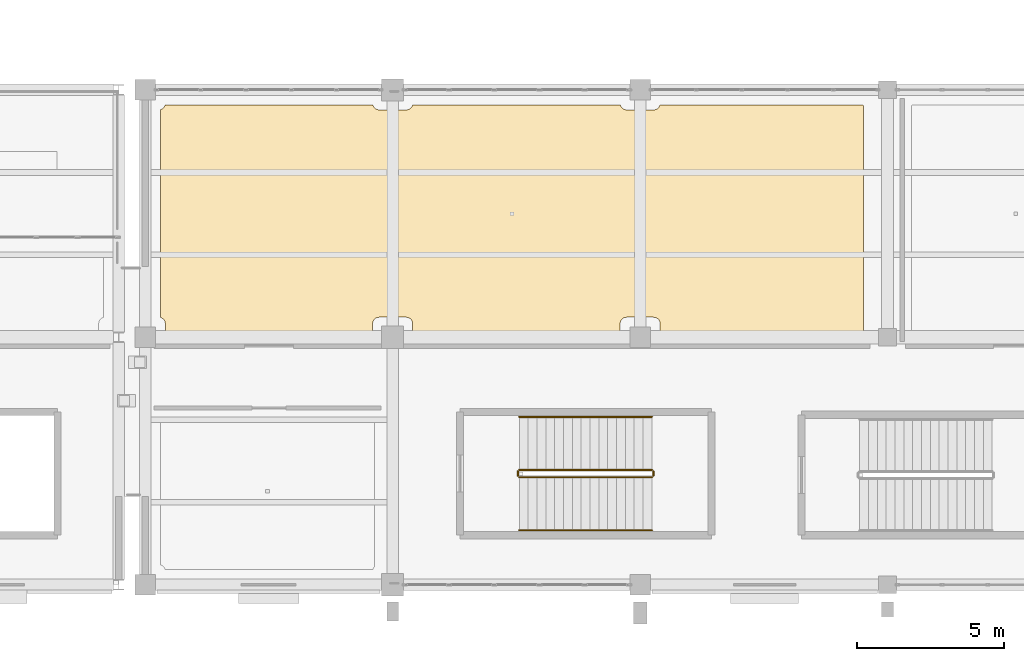
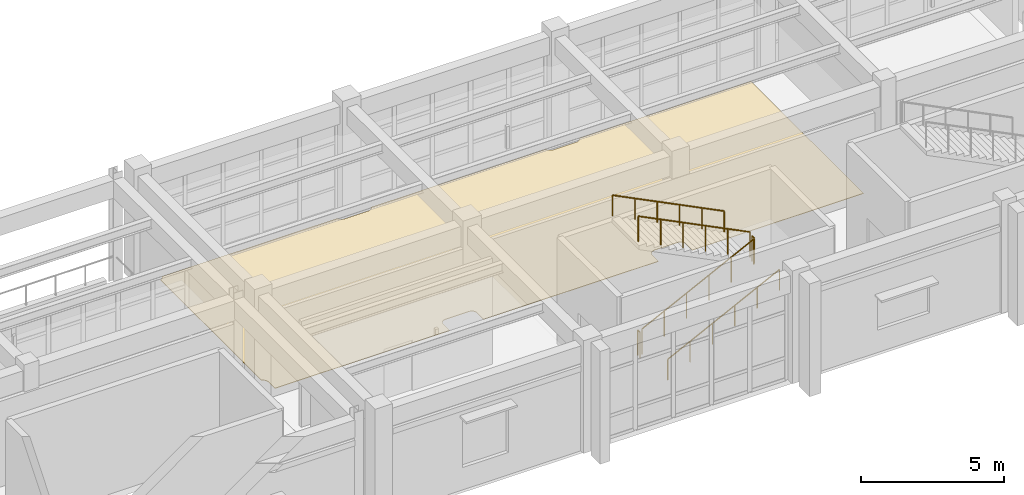
# One storey, part 87 of 98: 6 railings, 1 covering.
"""IFC4 building model written with IfcOpenShell, lengths in metres."""

from ifc_helpers import new_model, si_unit, direction, frame, origin, origin_2d, place, context, subcontext, project, spatial, polyline, circle, outline, extrude, material, layer, layer_set, type_object, element, save


model = new_model("IFC4")

# Units and contexts
model_context = context("Model", 3, precision=1e-05, world=origin(), true_north=direction((0.0, 1.0)))
body_context = subcontext(model_context, "Body", "Model", "MODEL_VIEW")
ifc_project = project(units=[si_unit("LENGTHUNIT", "METRE"), si_unit("AREAUNIT", "SQUARE_METRE"), si_unit("VOLUMEUNIT", "CUBIC_METRE"), si_unit("PLANEANGLEUNIT", "RADIAN"), si_unit("MASSUNIT", "GRAM", prefix="KILO")], contexts=[model_context])

# Site, building, storey
site_placement = place(None, origin())
site = spatial("IfcSite", under=ifc_project, at=site_placement, CompositionType="ELEMENT")
building_placement = place(site_placement, origin())
building = spatial("IfcBuilding", under=site, at=building_placement, Name="Canglan Escarpment Cableway Terminal", CompositionType="ELEMENT")
storey_placement = place(building_placement, frame((0.0, 0.0, 9.60009765625)))
storey = spatial("IfcBuildingStorey", under=building, at=storey_placement, Name="L02", CompositionType="ELEMENT", Elevation=9.60009765625)

# Covering
ifc_material_1 = material(Name="Polished mineral terrazzo flooring", Category="concrete")
ifc_layer = layer(ifc_material_1, 0.02001953125, Name="Polished mineral terrazzo flooring")
ifc_layer_set = layer_set([ifc_layer], Name="Polished mineral terrazzo flooring")
covering_type = type_object("IfcCoveringType", Name="COV-FLR-TERRAZZO-20", PredefinedType="FLOORING", material=ifc_layer_set)
covering_placement = place(storey_placement, origin())
element("IfcCovering", 1, at=covering_placement, inside=storey, type_object=covering_type, Name="Mountain Ecology Lecture Hall stone floor finish", PredefinedType="FLOORING", context=body_context, shape_type="SweptSolid", body=[
    extrude(outline(polyline([(77.533203125, 17.067138671875), (77.531494140625, 17.06787109375), (77.52978515625, 17.06884765625), (77.5283203125, 17.06982421875), (77.52685546875, 17.071044921875), (77.525390625, 17.072265625), (77.524169921875, 17.07373046875), (77.523193359375, 17.0751953125), (77.522216796875, 17.076904296875), (77.521484375, 17.07861328125), (77.520751953125, 17.080322265625), (77.5205078125, 17.082275390625), (77.52001953125, 17.083984375), (77.52001953125, 17.0859375), (77.52001953125, 24.114013671875), (77.52001953125, 24.115966796875), (77.5205078125, 24.117919921875), (77.520751953125, 24.11962890625), (77.521484375, 24.121337890625), (77.522216796875, 24.123046875), (77.523193359375, 24.124755859375), (77.524169921875, 24.126220703125), (77.525390625, 24.127685546875), (77.52685546875, 24.12890625), (77.5283203125, 24.130126953125), (77.52978515625, 24.131103515625), (77.531494140625, 24.132080078125), (77.533203125, 24.1328125), (77.543701171875, 24.13671875), (77.544677734375, 24.136962890625), (77.563232421875, 24.145751953125), (77.564208984375, 24.146240234375), (77.581787109375, 24.15673828125), (77.58251953125, 24.157470703125), (77.59912109375, 24.169677734375), (77.599853515625, 24.17041015625), (77.615234375, 24.18408203125), (77.615966796875, 24.184814453125), (77.629638671875, 24.2001953125), (77.63037109375, 24.20068359375), (77.642578125, 24.21728515625), (77.643310546875, 24.21826171875), (77.65380859375, 24.23583984375), (77.654296875, 24.23681640625), (77.6630859375, 24.25537109375), (77.663330078125, 24.25634765625), (77.667236328125, 24.2666015625), (77.66796875, 24.2685546875), (77.668701171875, 24.270263671875), (77.669921875, 24.271728515625), (77.6708984375, 24.273193359375), (77.67236328125, 24.274658203125), (77.673583984375, 24.27587890625), (77.67529296875, 24.27685546875), (77.677001953125, 24.27783203125), (77.6787109375, 24.278564453125), (77.680419921875, 24.279296875), (77.68212890625, 24.279541015625), (77.68408203125, 24.27978515625), (77.68603515625, 24.280029296875), (84.714111328125, 24.280029296875), (84.7158203125, 24.27978515625), (84.7177734375, 24.279541015625), (84.719482421875, 24.279296875), (84.721435546875, 24.278564453125), (84.72314453125, 24.27783203125), (84.724609375, 24.27685546875), (84.726318359375, 24.27587890625), (84.727783203125, 24.274658203125), (84.72900390625, 24.273193359375), (84.730224609375, 24.271728515625), (84.731201171875, 24.270263671875), (84.732177734375, 24.2685546875), (84.73291015625, 24.2666015625), (84.736572265625, 24.25634765625), (84.737060546875, 24.25537109375), (84.745849609375, 24.23681640625), (84.74609375, 24.23583984375), (84.7568359375, 24.21826171875), (84.75732421875, 24.21728515625), (84.76953125, 24.20068359375), (84.770263671875, 24.2001953125), (84.7841796875, 24.184814453125), (84.784912109375, 24.18408203125), (84.800048828125, 24.17041015625), (84.80078125, 24.169677734375), (84.8173828125, 24.157470703125), (84.818115234375, 24.15673828125), (84.8359375, 24.146240234375), (84.836669921875, 24.145751953125), (84.85546875, 24.136962890625), (84.856201171875, 24.13671875), (84.875732421875, 24.129638671875), (84.876708984375, 24.12939453125), (84.896484375, 24.124267578125), (84.897705078125, 24.124267578125), (84.91796875, 24.12109375), (84.9189453125, 24.12109375), (84.939697265625, 24.1201171875), (84.940185546875, 24.1201171875), (85.85986328125, 24.1201171875), (85.860107421875, 24.1201171875), (85.881103515625, 24.12109375), (85.882080078125, 24.12109375), (85.90234375, 24.124267578125), (85.9033203125, 24.124267578125), (85.92333984375, 24.12939453125), (85.92431640625, 24.129638671875), (85.943603515625, 24.13671875), (85.944580078125, 24.136962890625), (85.96337890625, 24.145751953125), (85.964111328125, 24.146240234375), (85.981689453125, 24.15673828125), (85.982666015625, 24.157470703125), (85.999267578125, 24.169677734375), (86.0, 24.17041015625), (86.01513671875, 24.18408203125), (86.015869140625, 24.184814453125), (86.02978515625, 24.2001953125), (86.030517578125, 24.20068359375), (86.04248046875, 24.21728515625), (86.043212890625, 24.21826171875), (86.0537109375, 24.23583984375), (86.05419921875, 24.23681640625), (86.06298828125, 24.25537109375), (86.0634765625, 24.25634765625), (86.067138671875, 24.2666015625), (86.06787109375, 24.2685546875), (86.06884765625, 24.270263671875), (86.06982421875, 24.271728515625), (86.071044921875, 24.273193359375), (86.072265625, 24.274658203125), (86.07373046875, 24.27587890625), (86.0751953125, 24.27685546875), (86.076904296875, 24.27783203125), (86.07861328125, 24.278564453125), (86.080322265625, 24.279296875), (86.082275390625, 24.279541015625), (86.083984375, 24.27978515625), (86.0859375, 24.280029296875), (93.114013671875, 24.280029296875), (93.115966796875, 24.27978515625), (93.117919921875, 24.279541015625), (93.11962890625, 24.279296875), (93.121337890625, 24.278564453125), (93.123046875, 24.27783203125), (93.124755859375, 24.27685546875), (93.126220703125, 24.27587890625), (93.127685546875, 24.274658203125), (93.12890625, 24.273193359375), (93.130126953125, 24.271728515625), (93.131103515625, 24.270263671875), (93.132080078125, 24.2685546875), (93.1328125, 24.2666015625), (93.13671875, 24.25634765625), (93.136962890625, 24.25537109375), (93.145751953125, 24.23681640625), (93.146240234375, 24.23583984375), (93.15673828125, 24.21826171875), (93.157470703125, 24.21728515625), (93.169677734375, 24.20068359375), (93.17041015625, 24.2001953125), (93.18408203125, 24.184814453125), (93.184814453125, 24.18408203125), (93.2001953125, 24.17041015625), (93.20068359375, 24.169677734375), (93.21728515625, 24.157470703125), (93.21826171875, 24.15673828125), (93.23583984375, 24.146240234375), (93.23681640625, 24.145751953125), (93.25537109375, 24.136962890625), (93.25634765625, 24.13671875), (93.275634765625, 24.129638671875), (93.276611328125, 24.12939453125), (93.296630859375, 24.124267578125), (93.297607421875, 24.124267578125), (93.318115234375, 24.12109375), (93.31884765625, 24.12109375), (93.33984375, 24.1201171875), (93.340087890625, 24.1201171875), (94.259765625, 24.1201171875), (94.26025390625, 24.1201171875), (94.281005859375, 24.12109375), (94.281982421875, 24.12109375), (94.302490234375, 24.124267578125), (94.303466796875, 24.124267578125), (94.323486328125, 24.12939453125), (94.32421875, 24.129638671875), (94.34375, 24.13671875), (94.344482421875, 24.136962890625), (94.36328125, 24.145751953125), (94.364013671875, 24.146240234375), (94.3818359375, 24.15673828125), (94.382568359375, 24.157470703125), (94.399169921875, 24.169677734375), (94.39990234375, 24.17041015625), (94.415283203125, 24.18408203125), (94.416015625, 24.184814453125), (94.4296875, 24.2001953125), (94.430419921875, 24.20068359375), (94.442626953125, 24.21728515625), (94.443115234375, 24.21826171875), (94.453857421875, 24.23583984375), (94.4541015625, 24.23681640625), (94.462890625, 24.25537109375), (94.46337890625, 24.25634765625), (94.46728515625, 24.2666015625), (94.468017578125, 24.2685546875), (94.46875, 24.270263671875), (94.4697265625, 24.271728515625), (94.470947265625, 24.273193359375), (94.472412109375, 24.274658203125), (94.4736328125, 24.27587890625), (94.475341796875, 24.27685546875), (94.476806640625, 24.27783203125), (94.478515625, 24.278564453125), (94.48046875, 24.279296875), (94.482177734375, 24.279541015625), (94.484130859375, 24.27978515625), (94.486083984375, 24.280029296875), (101.360107421875, 24.280029296875), (101.362060546875, 24.27978515625), (101.364013671875, 24.279541015625), (101.36572265625, 24.279052734375), (101.36767578125, 24.278564453125), (101.369384765625, 24.277587890625), (101.37109375, 24.276611328125), (101.372802734375, 24.275390625), (101.3740234375, 24.274169921875), (101.37548828125, 24.272705078125), (101.376708984375, 24.27099609375), (101.377685546875, 24.269287109375), (101.37841796875, 24.267578125), (101.379150390625, 24.265869140625), (101.379638671875, 24.263916015625), (101.3798828125, 24.261962890625), (101.3798828125, 24.260009765625), (101.3798828125, 16.43994140625), (101.3798828125, 16.43798828125), (101.379638671875, 16.43603515625), (101.379150390625, 16.43408203125), (101.37841796875, 16.432373046875), (101.377685546875, 16.4306640625), (101.376708984375, 16.428955078125), (101.37548828125, 16.42724609375), (101.3740234375, 16.42578125), (101.372802734375, 16.424560546875), (101.37109375, 16.42333984375), (101.369384765625, 16.42236328125), (101.36767578125, 16.42138671875), (101.36572265625, 16.4208984375), (101.364013671875, 16.42041015625), (101.362060546875, 16.420166015625), (101.360107421875, 16.419921875), (94.5, 16.419921875), (94.498046875, 16.420166015625), (94.49609375, 16.42041015625), (94.494140625, 16.4208984375), (94.4921875, 16.42138671875), (94.490478515625, 16.42236328125), (94.489013671875, 16.42333984375), (94.4873046875, 16.424560546875), (94.48583984375, 16.42578125), (94.484619140625, 16.42724609375), (94.4833984375, 16.428955078125), (94.482421875, 16.4306640625), (94.4814453125, 16.432373046875), (94.48095703125, 16.43408203125), (94.48046875, 16.43603515625), (94.47998046875, 16.43798828125), (94.47998046875, 16.43994140625), (94.47998046875, 16.85986328125), (94.47998046875, 16.860107421875), (94.47900390625, 16.881103515625), (94.47900390625, 16.882080078125), (94.475830078125, 16.90234375), (94.4755859375, 16.9033203125), (94.470703125, 16.92333984375), (94.470458984375, 16.92431640625), (94.46337890625, 16.943603515625), (94.462890625, 16.944580078125), (94.4541015625, 16.96337890625), (94.453857421875, 16.964111328125), (94.443115234375, 16.981689453125), (94.442626953125, 16.982666015625), (94.430419921875, 16.999267578125), (94.4296875, 17.0), (94.416015625, 17.01513671875), (94.415283203125, 17.015869140625), (94.39990234375, 17.02978515625), (94.399169921875, 17.030517578125), (94.382568359375, 17.04248046875), (94.3818359375, 17.043212890625), (94.364013671875, 17.0537109375), (94.36328125, 17.05419921875), (94.344482421875, 17.06298828125), (94.34375, 17.0634765625), (94.32421875, 17.0703125), (94.323486328125, 17.070556640625), (94.303466796875, 17.07568359375), (94.302490234375, 17.07568359375), (94.281982421875, 17.078857421875), (94.281005859375, 17.0791015625), (94.26025390625, 17.080078125), (94.259765625, 17.080078125), (93.340087890625, 17.080078125), (93.33984375, 17.080078125), (93.31884765625, 17.0791015625), (93.318115234375, 17.078857421875), (93.297607421875, 17.07568359375), (93.296630859375, 17.07568359375), (93.276611328125, 17.070556640625), (93.275634765625, 17.0703125), (93.25634765625, 17.0634765625), (93.25537109375, 17.06298828125), (93.23681640625, 17.05419921875), (93.23583984375, 17.0537109375), (93.21826171875, 17.043212890625), (93.21728515625, 17.04248046875), (93.20068359375, 17.030517578125), (93.2001953125, 17.02978515625), (93.184814453125, 17.015869140625), (93.18408203125, 17.01513671875), (93.17041015625, 17.0), (93.169677734375, 16.999267578125), (93.157470703125, 16.982666015625), (93.15673828125, 16.981689453125), (93.146240234375, 16.964111328125), (93.145751953125, 16.96337890625), (93.136962890625, 16.944580078125), (93.13671875, 16.943603515625), (93.129638671875, 16.92431640625), (93.12939453125, 16.92333984375), (93.124267578125, 16.9033203125), (93.124267578125, 16.90234375), (93.12109375, 16.882080078125), (93.12109375, 16.881103515625), (93.1201171875, 16.860107421875), (93.1201171875, 16.85986328125), (93.1201171875, 16.43994140625), (93.119873046875, 16.43798828125), (93.11962890625, 16.43603515625), (93.119140625, 16.43408203125), (93.118408203125, 16.432373046875), (93.11767578125, 16.4306640625), (93.11669921875, 16.428955078125), (93.115478515625, 16.42724609375), (93.114013671875, 16.42578125), (93.11279296875, 16.424560546875), (93.111083984375, 16.42333984375), (93.109375, 16.42236328125), (93.107666015625, 16.42138671875), (93.105712890625, 16.4208984375), (93.10400390625, 16.42041015625), (93.10205078125, 16.420166015625), (93.10009765625, 16.419921875), (86.10009765625, 16.419921875), (86.097900390625, 16.420166015625), (86.09619140625, 16.42041015625), (86.09423828125, 16.4208984375), (86.09228515625, 16.42138671875), (86.090576171875, 16.42236328125), (86.0888671875, 16.42333984375), (86.08740234375, 16.424560546875), (86.0859375, 16.42578125), (86.08447265625, 16.42724609375), (86.08349609375, 16.428955078125), (86.08251953125, 16.4306640625), (86.08154296875, 16.432373046875), (86.080810546875, 16.43408203125), (86.080322265625, 16.43603515625), (86.080078125, 16.43798828125), (86.080078125, 16.43994140625), (86.080078125, 16.85986328125), (86.080078125, 16.860107421875), (86.0791015625, 16.881103515625), (86.078857421875, 16.882080078125), (86.07568359375, 16.90234375), (86.07568359375, 16.9033203125), (86.070556640625, 16.92333984375), (86.0703125, 16.92431640625), (86.0634765625, 16.943603515625), (86.06298828125, 16.944580078125), (86.05419921875, 16.96337890625), (86.0537109375, 16.964111328125), (86.043212890625, 16.981689453125), (86.04248046875, 16.982666015625), (86.030517578125, 16.999267578125), (86.02978515625, 17.0), (86.015869140625, 17.01513671875), (86.01513671875, 17.015869140625), (86.0, 17.02978515625), (85.999267578125, 17.030517578125), (85.982666015625, 17.04248046875), (85.981689453125, 17.043212890625), (85.964111328125, 17.0537109375), (85.96337890625, 17.05419921875), (85.944580078125, 17.06298828125), (85.943603515625, 17.0634765625), (85.92431640625, 17.0703125), (85.92333984375, 17.070556640625), (85.9033203125, 17.07568359375), (85.90234375, 17.07568359375), (85.882080078125, 17.078857421875), (85.881103515625, 17.0791015625), (85.860107421875, 17.080078125), (85.85986328125, 17.080078125), (84.940185546875, 17.080078125), (84.939697265625, 17.080078125), (84.9189453125, 17.0791015625), (84.91796875, 17.078857421875), (84.897705078125, 17.07568359375), (84.896484375, 17.07568359375), (84.876708984375, 17.070556640625), (84.875732421875, 17.0703125), (84.856201171875, 17.0634765625), (84.85546875, 17.06298828125), (84.836669921875, 17.05419921875), (84.8359375, 17.0537109375), (84.818115234375, 17.043212890625), (84.8173828125, 17.04248046875), (84.80078125, 17.030517578125), (84.800048828125, 17.02978515625), (84.784912109375, 17.015869140625), (84.7841796875, 17.01513671875), (84.770263671875, 17.0), (84.76953125, 16.999267578125), (84.75732421875, 16.982666015625), (84.7568359375, 16.981689453125), (84.74609375, 16.964111328125), (84.745849609375, 16.96337890625), (84.737060546875, 16.944580078125), (84.736572265625, 16.943603515625), (84.7294921875, 16.92431640625), (84.7294921875, 16.92333984375), (84.724365234375, 16.9033203125), (84.72412109375, 16.90234375), (84.72119140625, 16.882080078125), (84.720947265625, 16.881103515625), (84.719970703125, 16.860107421875), (84.719970703125, 16.85986328125), (84.719970703125, 16.43994140625), (84.719970703125, 16.43798828125), (84.719482421875, 16.43603515625), (84.718994140625, 16.43408203125), (84.718505859375, 16.432373046875), (84.717529296875, 16.4306640625), (84.716552734375, 16.428955078125), (84.715576171875, 16.42724609375), (84.714111328125, 16.42578125), (84.712646484375, 16.424560546875), (84.711181640625, 16.42333984375), (84.70947265625, 16.42236328125), (84.707763671875, 16.42138671875), (84.705810546875, 16.4208984375), (84.703857421875, 16.42041015625), (84.701904296875, 16.420166015625), (84.699951171875, 16.419921875), (77.699951171875, 16.419921875), (77.697998046875, 16.420166015625), (77.696044921875, 16.42041015625), (77.694091796875, 16.4208984375), (77.6923828125, 16.42138671875), (77.690673828125, 16.42236328125), (77.68896484375, 16.42333984375), (77.687255859375, 16.424560546875), (77.685791015625, 16.42578125), (77.6845703125, 16.42724609375), (77.683349609375, 16.428955078125), (77.682373046875, 16.4306640625), (77.681396484375, 16.432373046875), (77.680908203125, 16.43408203125), (77.680419921875, 16.43603515625), (77.68017578125, 16.43798828125), (77.679931640625, 16.43994140625), (77.679931640625, 16.85986328125), (77.679931640625, 16.860107421875), (77.678955078125, 16.881103515625), (77.678955078125, 16.882080078125), (77.67578125, 16.90234375), (77.67578125, 16.9033203125), (77.670654296875, 16.92333984375), (77.67041015625, 16.92431640625), (77.663330078125, 16.943603515625), (77.6630859375, 16.944580078125), (77.654296875, 16.96337890625), (77.65380859375, 16.964111328125), (77.643310546875, 16.981689453125), (77.642578125, 16.982666015625), (77.63037109375, 16.999267578125), (77.629638671875, 17.0), (77.615966796875, 17.01513671875), (77.615234375, 17.015869140625), (77.599853515625, 17.02978515625), (77.59912109375, 17.030517578125), (77.58251953125, 17.04248046875), (77.581787109375, 17.043212890625), (77.564208984375, 17.0537109375), (77.563232421875, 17.05419921875), (77.544677734375, 17.06298828125), (77.543701171875, 17.0634765625), (77.533203125, 17.067138671875)])), origin(), (0.0, 0.0, 1.0), 0.02001953125),
])

# Railings
ifc_material_2 = material(Name="Powder-coated steel stair balustrade", Category="steel")
railing_type_1 = type_object("IfcRailingType", Name="RL-STR-GUARD-1100", PredefinedType="BALUSTRADE", material=ifc_material_2)
railing_1_placement = place(storey_placement, frame((89.699951171875, 11.64990234375, 0.14990234375)))
element("IfcRailing", 2, at=railing_1_placement, inside=storey, type_object=railing_type_1, Name="L02 ST-06 stair guard 1", PredefinedType="BALUSTRADE", context=body_context, shape_type="SweptSolid", body=[
    extrude(circle(Radius=0.02392578125, at=origin_2d()), frame((0.0, 0.0, 1.076171875), z_axis=(0.894427191, 0.0, 0.4472135955), x_axis=(0.0, 1.0, 0.0)), (0.0, 0.0, 1.0), 5.03125),
    extrude(circle(Radius=0.02099609375, at=origin_2d()), origin(), (0.0, 0.0, 1.0), 1.052001953125),
    extrude(circle(Radius=0.02099609375, at=origin_2d()), frame((0.89990234375, 0.0, 0.449951171875)), (0.0, 0.0, 1.0), 1.052001953125),
    extrude(circle(Radius=0.02099609375, at=origin_2d()), frame((1.800048828125, 0.0, 0.89990234375)), (0.0, 0.0, 1.0), 1.052001953125),
    extrude(circle(Radius=0.02099609375, at=origin_2d()), frame((2.699951171875, 0.0, 1.35009765625)), (0.0, 0.0, 1.0), 1.052001953125),
    extrude(circle(Radius=0.02099609375, at=origin_2d()), frame((3.60009765625, 0.0, 1.800048828125)), (0.0, 0.0, 1.0), 1.052001953125),
    extrude(circle(Radius=0.02099609375, at=origin_2d()), frame((4.5, 0.0, 2.25)), (0.0, 0.0, 1.0), 1.052001953125),
])
railing_2_placement = place(storey_placement, frame((94.25, 11.699951171875, 2.39990234375)))
element("IfcRailing", 3, at=railing_2_placement, inside=storey, type_object=railing_type_1, Name="L02 ST-06 stair guard 2", PredefinedType="BALUSTRADE", context=body_context, shape_type="SweptSolid", body=[
    extrude(circle(Radius=0.02392578125, at=origin_2d()), frame((0.0, 0.0, 1.076171875), z_axis=(0.0, 1.0, 0.0), x_axis=(-1.0, 0.0, 0.0)), (0.0, 0.0, 1.0), 0.150146484375),
    extrude(circle(Radius=0.02099609375, at=origin_2d()), origin(), (0.0, 0.0, 1.0), 1.052001953125),
    extrude(circle(Radius=0.02099609375, at=origin_2d()), frame((0.0, 0.150146484375, 0.0)), (0.0, 0.0, 1.0), 1.052001953125),
])
railing_3_placement = place(storey_placement, frame((94.199951171875, 11.89990234375, 2.5498046875)))
element("IfcRailing", 4, at=railing_3_placement, inside=storey, type_object=railing_type_1, Name="L02 ST-06 stair guard 3", PredefinedType="BALUSTRADE", context=body_context, shape_type="SweptSolid", body=[
    extrude(circle(Radius=0.02392578125, at=origin_2d()), frame((0.0, 0.0, 1.076171875), z_axis=(-0.894427191, 0.0, 0.4472135955), x_axis=(0.0, -1.0, 0.0)), (0.0, 0.0, 1.0), 5.03125),
    extrude(circle(Radius=0.02099609375, at=origin_2d()), origin(), (0.0, 0.0, 1.0), 1.052001953125),
    extrude(circle(Radius=0.02099609375, at=origin_2d()), frame((-0.89990234375, 0.0, 0.449951171875)), (0.0, 0.0, 1.0), 1.052001953125),
    extrude(circle(Radius=0.02099609375, at=origin_2d()), frame((-1.800048828125, 0.0, 0.89990234375)), (0.0, 0.0, 1.0), 1.052001953125),
    extrude(circle(Radius=0.02099609375, at=origin_2d()), frame((-2.699951171875, 0.0, 1.35009765625)), (0.0, 0.0, 1.0), 1.052001953125),
    extrude(circle(Radius=0.02099609375, at=origin_2d()), frame((-3.60009765625, 0.0, 1.800048828125)), (0.0, 0.0, 1.0), 1.052001953125),
    extrude(circle(Radius=0.02099609375, at=origin_2d()), frame((-4.5, 0.0, 2.25)), (0.0, 0.0, 1.0), 1.052001953125),
])
railing_4_placement = place(storey_placement, frame((89.64990234375, 11.699951171875, 0.0)))
element("IfcRailing", 5, at=railing_4_placement, inside=storey, type_object=railing_type_1, Name="L02 ST-06 stair guard 4", PredefinedType="BALUSTRADE", context=body_context, shape_type="SweptSolid", body=[
    extrude(circle(Radius=0.02392578125, at=origin_2d()), frame((0.0, 0.0, 1.076171875), z_axis=(0.0, 1.0, 0.0), x_axis=(-1.0, 0.0, 0.0)), (0.0, 0.0, 1.0), 0.150146484375),
    extrude(circle(Radius=0.02099609375, at=origin_2d()), origin(), (0.0, 0.0, 1.0), 1.052001953125),
    extrude(circle(Radius=0.02099609375, at=origin_2d()), frame((0.0, 0.150146484375, 0.0)), (0.0, 0.0, 1.0), 1.052001953125),
])
ifc_material_3 = material(Name="Brushed stainless steel 304 handrail", Category="steel")
railing_type_2 = type_object("IfcRailingType", Name="RL-STR-HR-900", PredefinedType="HANDRAIL", material=ifc_material_3)
railing_5_placement = place(storey_placement, frame((89.699951171875, 9.85009765625, 0.14990234375)))
element("IfcRailing", 6, at=railing_5_placement, inside=storey, type_object=railing_type_2, Name="L02 ST-06 stair handrail 1", PredefinedType="HANDRAIL", context=body_context, shape_type="SweptSolid", body=[
    extrude(circle(Radius=0.02392578125, at=origin_2d()), frame((0.0, 0.0, 0.8759765625), z_axis=(0.894427191, 0.0, 0.4472135955), x_axis=(0.0, 1.0, 0.0)), (0.0, 0.0, 1.0), 5.03125),
    extrude(circle(Radius=0.02099609375, at=origin_2d()), origin(), (0.0, 0.0, 1.0), 0.851806640625),
    extrude(circle(Radius=0.02099609375, at=origin_2d()), frame((0.89990234375, 0.0, 0.449951171875)), (0.0, 0.0, 1.0), 0.851806640625),
    extrude(circle(Radius=0.02099609375, at=origin_2d()), frame((1.800048828125, 0.0, 0.89990234375)), (0.0, 0.0, 1.0), 0.851806640625),
    extrude(circle(Radius=0.02099609375, at=origin_2d()), frame((2.699951171875, 0.0, 1.35009765625)), (0.0, 0.0, 1.0), 0.851806640625),
    extrude(circle(Radius=0.02099609375, at=origin_2d()), frame((3.60009765625, 0.0, 1.800048828125)), (0.0, 0.0, 1.0), 0.851806640625),
    extrude(circle(Radius=0.02099609375, at=origin_2d()), frame((4.5, 0.0, 2.25)), (0.0, 0.0, 1.0), 0.851806640625),
])
railing_6_placement = place(storey_placement, frame((94.199951171875, 13.699951171875, 2.5498046875)))
element("IfcRailing", 7, at=railing_6_placement, inside=storey, type_object=railing_type_2, Name="L02 ST-06 stair handrail 2", PredefinedType="HANDRAIL", context=body_context, shape_type="SweptSolid", body=[
    extrude(circle(Radius=0.02392578125, at=origin_2d()), frame((0.0, 0.0, 0.8759765625), z_axis=(-0.894427191, 0.0, 0.4472135955), x_axis=(0.0, -1.0, 0.0)), (0.0, 0.0, 1.0), 5.03125),
    extrude(circle(Radius=0.02099609375, at=origin_2d()), origin(), (0.0, 0.0, 1.0), 0.851806640625),
    extrude(circle(Radius=0.02099609375, at=origin_2d()), frame((-0.89990234375, 0.0, 0.449951171875)), (0.0, 0.0, 1.0), 0.851806640625),
    extrude(circle(Radius=0.02099609375, at=origin_2d()), frame((-1.800048828125, 0.0, 0.89990234375)), (0.0, 0.0, 1.0), 0.851806640625),
    extrude(circle(Radius=0.02099609375, at=origin_2d()), frame((-2.699951171875, 0.0, 1.35009765625)), (0.0, 0.0, 1.0), 0.851806640625),
    extrude(circle(Radius=0.02099609375, at=origin_2d()), frame((-3.60009765625, 0.0, 1.800048828125)), (0.0, 0.0, 1.0), 0.851806640625),
    extrude(circle(Radius=0.02099609375, at=origin_2d()), frame((-4.5, 0.0, 2.25)), (0.0, 0.0, 1.0), 0.851806640625),
])

save(model, "model.ifc")
